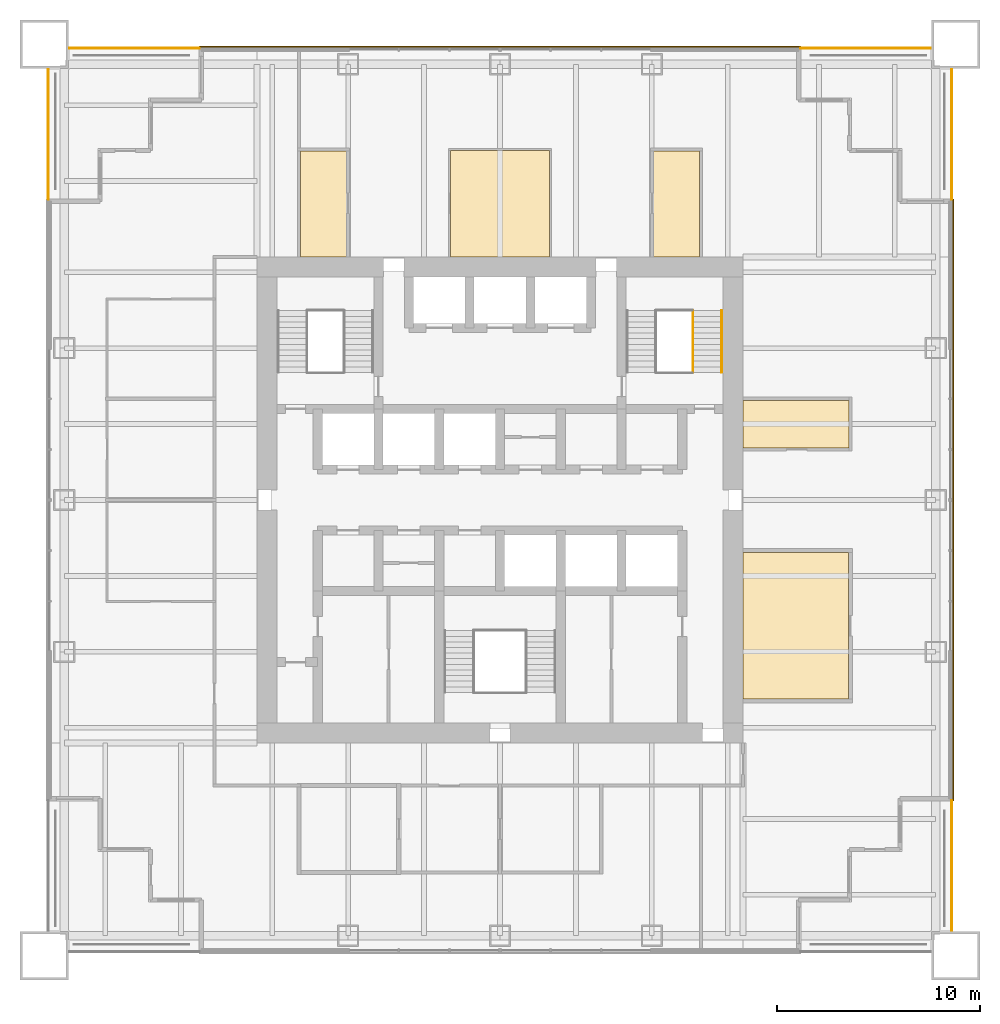
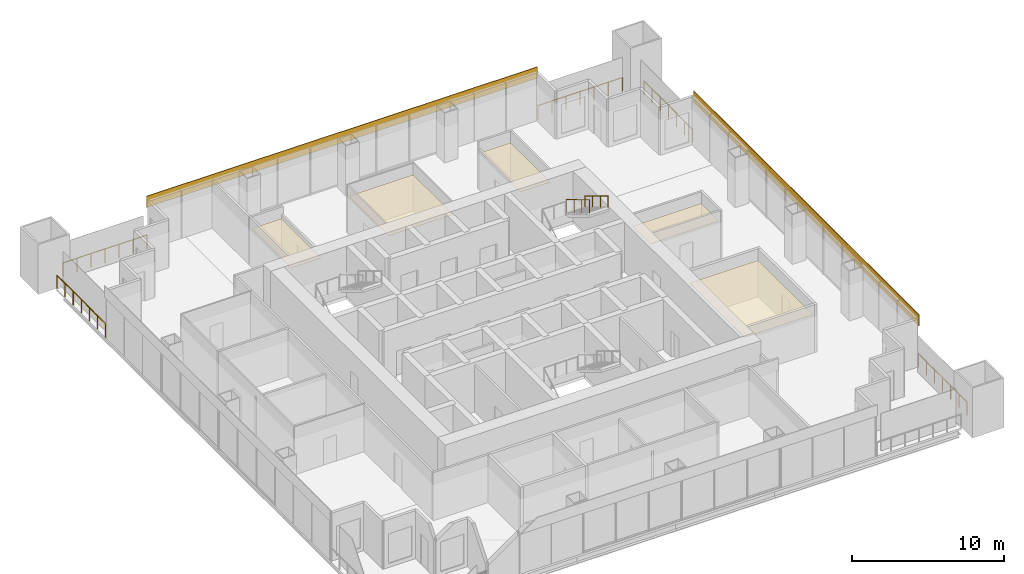
# One storey, part 13 of 13: 7 coverings, 7 railings.
"""IFC4 building model written with IfcOpenShell, lengths in metres."""

from ifc_helpers import new_model, si_unit, direction, frame, origin, origin_2d, place, context, subcontext, project, spatial, polyline, rectangle, circle, outline, extrude, material, layer, layer_set, type_object, element, save


model = new_model("IFC4")

# Units and contexts
model_context = context("Model", 3, precision=1e-05, world=origin(), true_north=direction((0.0, 1.0)))
body_context = subcontext(model_context, "Body", "Model", "MODEL_VIEW")
ifc_project = project(units=[si_unit("LENGTHUNIT", "METRE"), si_unit("AREAUNIT", "SQUARE_METRE"), si_unit("VOLUMEUNIT", "CUBIC_METRE"), si_unit("PLANEANGLEUNIT", "RADIAN"), si_unit("MASSUNIT", "GRAM", prefix="KILO")], contexts=[model_context])

# Site, building, storey
site_placement = place(None, origin())
site = spatial("IfcSite", under=ifc_project, at=site_placement, CompositionType="ELEMENT")
building_placement = place(site_placement, origin())
building = spatial("IfcBuilding", under=site, at=building_placement, Name="Tarangal Relay Tower", CompositionType="ELEMENT")
storey_placement = place(building_placement, frame((0.0, 0.0, 241.89990234375)))
storey = spatial("IfcBuildingStorey", under=building, at=storey_placement, Name="L52", CompositionType="ELEMENT", Elevation=241.89990234375)

# Coverings
ifc_material_1 = material(Name="Black anodised aluminium cladding", Category="aluminium")
ifc_layer_1 = layer(ifc_material_1, 0.050048828125)
ifc_layer_set_1 = layer_set([ifc_layer_1], Name="Black metal spandrel band")
covering_type_1 = type_object("IfcCoveringType", Name="Black metal spandrel band", PredefinedType="CLADDING", material=ifc_layer_set_1)
for number, where, z_axis, x_axis, name in (
    (1, (0.0, 22.375, 3.250244140625), (0.0, 0.0, 1.0), (1.0, 0.0, 0.0), "Spandrel band SB1 N L52"),
    (2, (22.375, 0.0, 3.250244140625), (0.0, 0.0, 1.0), (0.0, -1.0, 0.0), "Spandrel band SB1 E L52"),
):
    element("IfcCovering", number, at=place(storey_placement, frame(where, z_axis=z_axis, x_axis=x_axis)), inside=storey, type_object=covering_type_1, Name=name, PredefinedType="CLADDING", context=body_context, shape_type="SweptSolid", body=[
        extrude(rectangle(XDim=29.699951171875, YDim=0.050048828125, at=origin_2d()), origin(), (0.0, 0.0, 1.0), 0.89990234375),
    ])

# Railings
ifc_material_2 = material(Name="Steel guard, black finish", Category="steel")
railing_type_1 = type_object("IfcRailingType", Name="Stair guard 1100", PredefinedType="GUARDRAIL", material=ifc_material_2)
railing_1_placement = place(storey_placement, frame((9.530029296875, 9.346923828125, 2.166748046875)))
element("IfcRailing", 3, at=railing_1_placement, inside=storey, type_object=railing_type_1, Name="Stair ST-B guard GR1 L52 flight 2", PredefinedType="GUARDRAIL", context=body_context, shape_type="SweptSolid", body=[
    extrude(circle(Radius=0.02392578125, at=origin_2d()), frame((0.0, 0.0, 1.076171875), z_axis=(0.0, -0.85685617095, 0.515555527858), x_axis=(1.0, 0.0, 0.0)), (0.0, 0.0, 1.0), 3.555908203125),
    extrude(circle(Radius=0.02099609375, at=origin_2d()), origin(), (0.0, 0.0, 1.0), 1.052001953125),
    extrude(circle(Radius=0.02099609375, at=origin_2d()), frame((0.0, -1.015625, 0.611083984375)), (0.0, 0.0, 1.0), 1.052001953125),
    extrude(circle(Radius=0.02099609375, at=origin_2d()), frame((0.0, -2.03125, 1.22216796875)), (0.0, 0.0, 1.0), 1.052001953125),
    extrude(circle(Radius=0.02099609375, at=origin_2d()), frame((0.0, -3.046875, 1.833251953125)), (0.0, 0.0, 1.0), 1.052001953125),
])
ifc_material_3 = material(Name="Steel handrail, black finish", Category="steel")
railing_type_2 = type_object("IfcRailingType", Name="Stair handrail 900", PredefinedType="HANDRAIL", material=ifc_material_3)
railing_2_placement = place(storey_placement, frame((10.93994140625, 9.346923828125, 2.166748046875)))
element("IfcRailing", 4, at=railing_2_placement, inside=storey, type_object=railing_type_2, Name="Stair ST-B handrail HR1 L52 flight 2", PredefinedType="HANDRAIL", context=body_context, shape_type="SweptSolid", body=[
    extrude(circle(Radius=0.02392578125, at=origin_2d()), frame((0.0, 0.0, 0.8759765625), z_axis=(0.0, -0.85685617095, 0.515555527858), x_axis=(1.0, 0.0, 0.0)), (0.0, 0.0, 1.0), 3.555908203125),
    extrude(circle(Radius=0.02099609375, at=origin_2d()), origin(), (0.0, 0.0, 1.0), 0.851806640625),
    extrude(circle(Radius=0.02099609375, at=origin_2d()), frame((0.0, -1.015625, 0.611083984375)), (0.0, 0.0, 1.0), 0.851806640625),
    extrude(circle(Radius=0.02099609375, at=origin_2d()), frame((0.0, -2.03125, 1.22216796875)), (0.0, 0.0, 1.0), 0.851806640625),
    extrude(circle(Radius=0.02099609375, at=origin_2d()), frame((0.0, -3.046875, 1.833251953125)), (0.0, 0.0, 1.0), 0.851806640625),
])

# Coverings
ifc_material_4 = material(Name="Mineral fibre ceiling tiles", Category="gypsum")
ifc_layer_2 = layer(ifc_material_4, 0.02001953125)
ifc_layer_set_2 = layer_set([ifc_layer_2], Name="Suspended ceiling")
covering_type_2 = type_object("IfcCoveringType", Name="Suspended ceiling", PredefinedType="CEILING", material=ifc_layer_set_2)
covering_1_placement = place(storey_placement, frame((0.0, 0.0, 2.900146484375)))
element("IfcCovering", 5, at=covering_1_placement, inside=storey, type_object=covering_type_2, Name="Suspended ceiling CL1 L52-02", PredefinedType="CEILING", context=body_context, shape_type="SweptSolid", body=[
    extrude(outline(polyline([(-7.574951171875, 12.0), (-7.574951171875, 17.22509765625), (-9.842041015625, 17.22509765625), (-9.842041015625, 12.0), (-7.574951171875, 12.0)])), origin(), (0.0, 0.0, 1.0), 0.02001953125),
])
covering_2_placement = place(storey_placement, frame((0.0, 0.0, 2.900146484375)))
element("IfcCovering", 6, at=covering_2_placement, inside=storey, type_object=covering_type_2, Name="Suspended ceiling CL1 L52-03", PredefinedType="CEILING", context=body_context, shape_type="SweptSolid", body=[
    extrude(outline(polyline([(2.449951171875, 12.0), (2.449951171875, 17.25), (-2.449951171875, 17.25), (-2.449951171875, 12.0), (2.449951171875, 12.0)])), origin(), (0.0, 0.0, 1.0), 0.02001953125),
])
covering_3_placement = place(storey_placement, frame((0.0, 0.0, 2.900146484375)))
element("IfcCovering", 7, at=covering_3_placement, inside=storey, type_object=covering_type_2, Name="Suspended ceiling CL1 L52-04", PredefinedType="CEILING", context=body_context, shape_type="SweptSolid", body=[
    extrude(outline(polyline([(9.842041015625, 12.0), (9.842041015625, 17.22509765625), (7.574951171875, 17.22509765625), (7.574951171875, 12.0), (9.842041015625, 12.0)])), origin(), (0.0, 0.0, 1.0), 0.02001953125),
])
covering_4_placement = place(storey_placement, frame((0.0, 0.0, 2.900146484375)))
element("IfcCovering", 8, at=covering_4_placement, inside=storey, type_object=covering_type_2, Name="Suspended ceiling CL1 L52-05", PredefinedType="CEILING", context=body_context, shape_type="SweptSolid", body=[
    extrude(outline(polyline([(12.0, 2.574951171875), (17.22509765625, 2.574951171875), (17.22509765625, 4.925048828125), (12.0, 4.925048828125), (12.0, 2.574951171875)])), origin(), (0.0, 0.0, 1.0), 0.02001953125),
])
covering_5_placement = place(storey_placement, frame((0.0, 0.0, 2.900146484375)))
element("IfcCovering", 9, at=covering_5_placement, inside=storey, type_object=covering_type_2, Name="Suspended ceiling CL1 L52-06", PredefinedType="CEILING", context=body_context, shape_type="SweptSolid", body=[
    extrude(outline(polyline([(12.0, -9.81689453125), (17.199951171875, -9.81689453125), (17.199951171875, -2.60009765625), (12.0, -2.60009765625), (12.0, -9.81689453125)])), origin(), (0.0, 0.0, 1.0), 0.02001953125),
])

# Railings
ifc_material_5 = material(Name="Black steel guard with glass infill", Category="steel")
railing_type_3 = type_object("IfcRailingType", Name="Terrace guard 1100", PredefinedType="GUARDRAIL", material=ifc_material_5)
railing_3_placement = place(storey_placement, frame((14.85009765625, 22.300048828125, 0.0)))
element("IfcRailing", 10, at=railing_3_placement, inside=storey, type_object=railing_type_3, Name="Terrace guard GR2 NE L52", PredefinedType="GUARDRAIL", context=body_context, shape_type="SweptSolid", body=[
    extrude(circle(Radius=0.02392578125, at=origin_2d()), frame((0.0, 0.0, 1.076171875), z_axis=(1.0, 0.0, 0.0), x_axis=(0.0, 1.0, 0.0)), (0.0, 0.0, 1.0), 6.39990234375),
    extrude(circle(Radius=0.02099609375, at=origin_2d()), origin(), (0.0, 0.0, 1.0), 1.052001953125),
    extrude(circle(Radius=0.02099609375, at=origin_2d()), frame((1.066650390625, 0.0, 0.0)), (0.0, 0.0, 1.0), 1.052001953125),
    extrude(circle(Radius=0.02099609375, at=origin_2d()), frame((2.13330078125, 0.0, 0.0)), (0.0, 0.0, 1.0), 1.052001953125),
    extrude(circle(Radius=0.02099609375, at=origin_2d()), frame((3.199951171875, 0.0, 0.0)), (0.0, 0.0, 1.0), 1.052001953125),
    extrude(circle(Radius=0.02099609375, at=origin_2d()), frame((4.2666015625, 0.0, 0.0)), (0.0, 0.0, 1.0), 1.052001953125),
    extrude(circle(Radius=0.02099609375, at=origin_2d()), frame((5.333251953125, 0.0, 0.0)), (0.0, 0.0, 1.0), 1.052001953125),
    extrude(circle(Radius=0.02099609375, at=origin_2d()), frame((6.39990234375, 0.0, 0.0)), (0.0, 0.0, 1.0), 1.052001953125),
])
for number, where, name in (
    (11, (22.300048828125, 21.25, 0.0), "Terrace guard GR2 NE L52"),
    (12, (22.300048828125, -14.85009765625, 0.0), "Terrace guard GR2 SE L52"),
):
    element("IfcRailing", number, at=place(storey_placement, frame(where)), inside=storey, type_object=railing_type_3, Name=name, PredefinedType="GUARDRAIL", context=body_context, shape_type="SweptSolid", body=[
        extrude(circle(Radius=0.02392578125, at=origin_2d()), frame((0.0, 0.0, 1.076171875), z_axis=(0.0, -1.0, 0.0), x_axis=(1.0, 0.0, 0.0)), (0.0, 0.0, 1.0), 6.39990234375),
        extrude(circle(Radius=0.02099609375, at=origin_2d()), origin(), (0.0, 0.0, 1.0), 1.052001953125),
        extrude(circle(Radius=0.02099609375, at=origin_2d()), frame((0.0, -1.066650390625, 0.0)), (0.0, 0.0, 1.0), 1.052001953125),
        extrude(circle(Radius=0.02099609375, at=origin_2d()), frame((0.0, -2.13330078125, 0.0)), (0.0, 0.0, 1.0), 1.052001953125),
        extrude(circle(Radius=0.02099609375, at=origin_2d()), frame((0.0, -3.199951171875, 0.0)), (0.0, 0.0, 1.0), 1.052001953125),
        extrude(circle(Radius=0.02099609375, at=origin_2d()), frame((0.0, -4.2666015625, 0.0)), (0.0, 0.0, 1.0), 1.052001953125),
        extrude(circle(Radius=0.02099609375, at=origin_2d()), frame((0.0, -5.333251953125, 0.0)), (0.0, 0.0, 1.0), 1.052001953125),
        extrude(circle(Radius=0.02099609375, at=origin_2d()), frame((0.0, -6.39990234375, 0.0)), (0.0, 0.0, 1.0), 1.052001953125),
    ])
railing_4_placement = place(storey_placement, frame((-22.300048828125, 14.85009765625, 0.0)))
element("IfcRailing", 13, at=railing_4_placement, inside=storey, type_object=railing_type_3, Name="Terrace guard GR2 NW L52", PredefinedType="GUARDRAIL", context=body_context, shape_type="SweptSolid", body=[
    extrude(circle(Radius=0.02392578125, at=origin_2d()), frame((0.0, 0.0, 1.076171875), z_axis=(0.0, 1.0, 0.0), x_axis=(-1.0, 0.0, 0.0)), (0.0, 0.0, 1.0), 6.39990234375),
    extrude(circle(Radius=0.02099609375, at=origin_2d()), origin(), (0.0, 0.0, 1.0), 1.052001953125),
    extrude(circle(Radius=0.02099609375, at=origin_2d()), frame((0.0, 1.066650390625, 0.0)), (0.0, 0.0, 1.0), 1.052001953125),
    extrude(circle(Radius=0.02099609375, at=origin_2d()), frame((0.0, 2.13330078125, 0.0)), (0.0, 0.0, 1.0), 1.052001953125),
    extrude(circle(Radius=0.02099609375, at=origin_2d()), frame((0.0, 3.199951171875, 0.0)), (0.0, 0.0, 1.0), 1.052001953125),
    extrude(circle(Radius=0.02099609375, at=origin_2d()), frame((0.0, 4.2666015625, 0.0)), (0.0, 0.0, 1.0), 1.052001953125),
    extrude(circle(Radius=0.02099609375, at=origin_2d()), frame((0.0, 5.333251953125, 0.0)), (0.0, 0.0, 1.0), 1.052001953125),
    extrude(circle(Radius=0.02099609375, at=origin_2d()), frame((0.0, 6.39990234375, 0.0)), (0.0, 0.0, 1.0), 1.052001953125),
])
railing_5_placement = place(storey_placement, frame((-21.25, 22.300048828125, 0.0)))
element("IfcRailing", 14, at=railing_5_placement, inside=storey, type_object=railing_type_3, Name="Terrace guard GR2 NW L52", PredefinedType="GUARDRAIL", context=body_context, shape_type="SweptSolid", body=[
    extrude(circle(Radius=0.02392578125, at=origin_2d()), frame((0.0, 0.0, 1.076171875), z_axis=(1.0, 0.0, 0.0), x_axis=(0.0, 1.0, 0.0)), (0.0, 0.0, 1.0), 6.39990234375),
    extrude(circle(Radius=0.02099609375, at=origin_2d()), origin(), (0.0, 0.0, 1.0), 1.052001953125),
    extrude(circle(Radius=0.02099609375, at=origin_2d()), frame((1.066650390625, 0.0, 0.0)), (0.0, 0.0, 1.0), 1.052001953125),
    extrude(circle(Radius=0.02099609375, at=origin_2d()), frame((2.13330078125, 0.0, 0.0)), (0.0, 0.0, 1.0), 1.052001953125),
    extrude(circle(Radius=0.02099609375, at=origin_2d()), frame((3.199951171875, 0.0, 0.0)), (0.0, 0.0, 1.0), 1.052001953125),
    extrude(circle(Radius=0.02099609375, at=origin_2d()), frame((4.2666015625, 0.0, 0.0)), (0.0, 0.0, 1.0), 1.052001953125),
    extrude(circle(Radius=0.02099609375, at=origin_2d()), frame((5.333251953125, 0.0, 0.0)), (0.0, 0.0, 1.0), 1.052001953125),
    extrude(circle(Radius=0.02099609375, at=origin_2d()), frame((6.39990234375, 0.0, 0.0)), (0.0, 0.0, 1.0), 1.052001953125),
])

save(model, "model.ifc")
